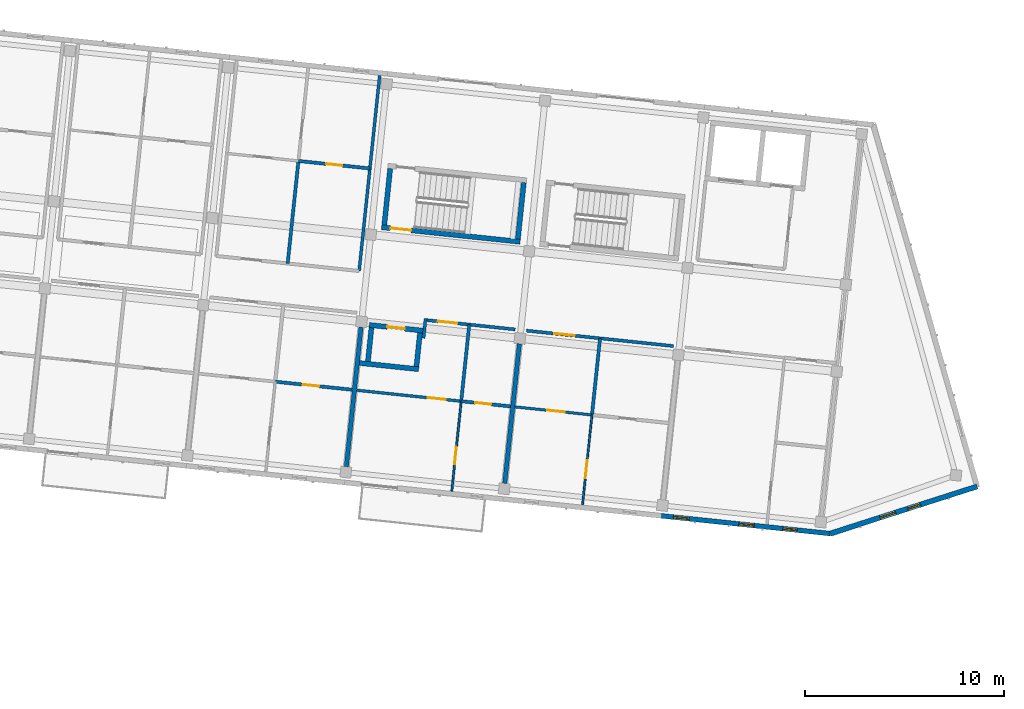
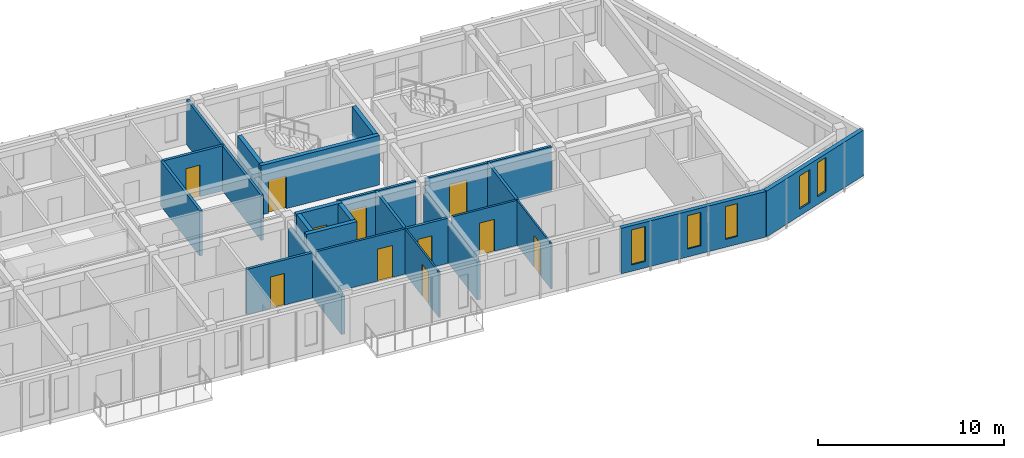
# One storey, part 34 of 74: 25 walls, 11 doors, 5 windows, 16 openings.
"""IFC4 building model written with IfcOpenShell, lengths in metres."""

from ifc_helpers import new_model, si_unit, direction, frame, frame_2d, origin, place, context, subcontext, project, spatial, rectangle, extrude, material, layer, layer_set, type_object, element, fill, save


model = new_model("IFC4")

# Units and contexts
model_context = context("Model", 3, precision=1e-05, world=origin(), true_north=direction((0.0, 1.0)))
body_context = subcontext(model_context, "Body", "Model", "MODEL_VIEW")
ifc_project = project(units=[si_unit("LENGTHUNIT", "METRE"), si_unit("AREAUNIT", "SQUARE_METRE"), si_unit("VOLUMEUNIT", "CUBIC_METRE"), si_unit("PLANEANGLEUNIT", "RADIAN"), si_unit("MASSUNIT", "GRAM", prefix="KILO")], contexts=[model_context])

# Site, building, storey
site_placement = place(None, origin())
site = spatial("IfcSite", under=ifc_project, at=site_placement, CompositionType="ELEMENT")
building_placement = place(site_placement, origin())
building = spatial("IfcBuilding", under=site, at=building_placement, Name="Kestramere Prow Commons", CompositionType="ELEMENT")
storey_placement = place(building_placement, frame((0.0, 0.0, 11.64990234375)))
storey = spatial("IfcBuildingStorey", under=building, at=storey_placement, Name="L03", CompositionType="ELEMENT", Elevation=11.64990234375)

# Wall, openings, windows
ifc_material_1 = material(Name="Weathered Zinc-Titanium Standing-Seam Cladding")
ifc_layer_1 = layer(ifc_material_1, 0.260009765625)
ifc_layer_set_1 = layer_set([ifc_layer_1], Name="Weathered Zinc-Titanium Standing-Seam Cladding")
wall_type_1 = type_object("IfcWallType", Name="EW-PROW-260", PredefinedType="SOLIDWALL", material=ifc_layer_set_1)
wall_1_placement = place(storey_placement, frame((165.587158203125, 91.57177734375, 0.0), z_axis=(0.0, 0.0, 1.0), x_axis=(-0.9522851043, -0.305209895201, 0.0)))
wall_1 = element("IfcWall", 1, at=wall_1_placement, inside=storey, type_object=wall_type_1, Name="Block B L03 PRW-S Facet Wall", PredefinedType="SOLIDWALL", context=body_context, shape_type="SweptSolid", body=[
    extrude(rectangle(XDim=7.752685546875, YDim=0.260009765625, at=frame_2d((3.87646484375, 0.0))), origin(), (0.0, 0.0, 1.0), 3.0),
])
opening_1_placement = place(wall_1_placement, frame((2.989990234375, 0.0, 0.52001953125)))
opening_1 = element("IfcOpeningElement", 2, at=opening_1_placement, cuts=wall_1, Name="Opening WN-06", PredefinedType="OPENING", context=body_context, shape_type="SweptSolid", body=[
    extrude(rectangle(XDim=0.679931640625, YDim=2.239990234375, at=frame_2d((0.33984375, 1.1201171875))), frame((0.0, 0.14501953125, 0.0), z_axis=(0.0, -1.0, 0.0), x_axis=(1.0, 0.0, 0.0)), (0.0, 0.0, 1.0), 0.2900390625),
])
opening_2_placement = place(wall_1_placement, frame((4.302734375, 0.0, 0.449951171875)))
opening_2 = element("IfcOpeningElement", 3, at=opening_2_placement, cuts=wall_1, Name="Opening WN-13", PredefinedType="OPENING", context=body_context, shape_type="SweptSolid", body=[
    extrude(rectangle(XDim=0.820068359375, YDim=2.179931640625, at=frame_2d((0.41015625, 1.08984375))), frame((0.0, 0.14501953125, 0.0), z_axis=(0.0, -1.0, 0.0), x_axis=(1.0, 0.0, 0.0)), (0.0, 0.0, 1.0), 0.2900390625),
])
ifc_material_2 = material(Name="Low-E Laminated Double Glazing", Category="glass")
window_type_1 = type_object("IfcWindowType", Name="WN-NAR-680A", PartitioningType="SINGLE_PANEL", PredefinedType="WINDOW", material=ifc_material_2)
window_1_placement = place(opening_1_placement, origin())
window_1 = element("IfcWindow", 4, at=window_1_placement, inside=storey, type_object=window_type_1, Name="WN-B-L03-PRW-S-0", OverallHeight=2.239990234375, OverallWidth=0.679931640625, PartitioningType="SINGLE_PANEL", PredefinedType="WINDOW", context=body_context, shape_type="SweptSolid", body=[
    extrude(rectangle(XDim=0.679931640625, YDim=2.239990234375, at=frame_2d((0.33984375, 1.1201171875))), frame((0.0, 0.030029296875, 0.0), z_axis=(0.0, -1.0, 0.0), x_axis=(1.0, 0.0, 0.0)), (0.0, 0.0, 1.0), 0.06005859375),
])
fill(opening_1, window_1)
window_type_2 = type_object("IfcWindowType", Name="WN-NAR-820A", PartitioningType="DOUBLE_PANEL_VERTICAL", PredefinedType="WINDOW", material=ifc_material_2)
window_2_placement = place(opening_2_placement, origin())
window_2 = element("IfcWindow", 5, at=window_2_placement, inside=storey, type_object=window_type_2, Name="WN-B-L03-PRW-S-1", OverallHeight=2.179931640625, OverallWidth=0.820068359375, PartitioningType="SINGLE_PANEL", PredefinedType="WINDOW", context=body_context, shape_type="SweptSolid", body=[
    extrude(rectangle(XDim=0.820068359375, YDim=2.179931640625, at=frame_2d((0.41015625, 1.08984375))), frame((0.0, 0.030029296875, 0.0), z_axis=(0.0, -1.0, 0.0), x_axis=(1.0, 0.0, 0.0)), (0.0, 0.0, 1.0), 0.06005859375),
])
fill(opening_2, window_2)

ifc_material_3 = material(Name="Fluoropolymer Standing-Seam Zinc-Aluminium Cladding", Category="aluminium")
ifc_layer_2 = layer(ifc_material_3, 0.239990234375)
ifc_layer_set_2 = layer_set([ifc_layer_2], Name="Fluoropolymer Standing-Seam Zinc-Aluminium Cladding")
wall_type_2 = type_object("IfcWallType", Name="EW-SEAM-240", PredefinedType="SOLIDWALL", material=ifc_layer_set_2)
wall_2_placement = place(storey_placement, frame((158.204345703125, 89.20556640625, 0.0), z_axis=(0.0, 0.0, 1.0), x_axis=(-0.994521760736, 0.104529744196, 0.0)))
wall_2 = element("IfcWall", 6, at=wall_2_placement, inside=storey, type_object=wall_type_2, Name="Block B L03 South Standing-Seam Wall 6", PredefinedType="SOLIDWALL", context=body_context, shape_type="SweptSolid", body=[
    extrude(rectangle(XDim=8.52490234375, YDim=0.239990234375, at=frame_2d((4.262451171875, 0.0))), origin(), (0.0, 0.0, 1.0), 3.0),
])
opening_3_placement = place(wall_2_placement, frame((1.67333984375, 0.0, 0.52001953125)))
opening_3 = element("IfcOpeningElement", 7, at=opening_3_placement, cuts=wall_2, Name="Opening WN-08", PredefinedType="OPENING", context=body_context, shape_type="SweptSolid", body=[
    extrude(rectangle(XDim=0.719970703125, YDim=2.159912109375, at=frame_2d((0.35986328125, 1.080078125))), frame((0.0, 0.135009765625, 0.0), z_axis=(0.0, -1.0, 0.0), x_axis=(1.0, 0.0, 0.0)), (0.0, 0.0, 1.0), 0.27001953125),
])
opening_4_placement = place(wall_2_placement, frame((3.8349609375, 0.0, 0.52001953125)))
opening_4 = element("IfcOpeningElement", 8, at=opening_4_placement, cuts=wall_2, Name="Opening WN-11", PredefinedType="OPENING", context=body_context, shape_type="SweptSolid", body=[
    extrude(rectangle(XDim=0.780029296875, YDim=2.199951171875, at=frame_2d((0.39013671875, 1.10009765625))), frame((0.0, 0.135009765625, 0.0), z_axis=(0.0, -1.0, 0.0), x_axis=(1.0, 0.0, 0.0)), (0.0, 0.0, 1.0), 0.27001953125),
])
opening_5_placement = place(wall_2_placement, frame((7.114990234375, 0.0, 0.419921875)))
opening_5 = element("IfcOpeningElement", 9, at=opening_5_placement, cuts=wall_2, Name="Opening WN-12", PredefinedType="OPENING", context=body_context, shape_type="SweptSolid", body=[
    extrude(rectangle(XDim=0.800048828125, YDim=2.300048828125, at=frame_2d((0.39990234375, 1.14990234375))), frame((0.0, 0.135009765625, 0.0), z_axis=(0.0, -1.0, 0.0), x_axis=(1.0, 0.0, 0.0)), (0.0, 0.0, 1.0), 0.27001953125),
])
window_type_3 = type_object("IfcWindowType", Name="WN-NAR-720A", PartitioningType="SINGLE_PANEL", PredefinedType="WINDOW", material=ifc_material_2)
window_3_placement = place(opening_3_placement, origin())
window_3 = element("IfcWindow", 10, at=window_3_placement, inside=storey, type_object=window_type_3, Name="WN-B-L03-S-5-00", OverallHeight=2.159912109375, OverallWidth=0.719970703125, PartitioningType="SINGLE_PANEL", PredefinedType="WINDOW", context=body_context, shape_type="SweptSolid", body=[
    extrude(rectangle(XDim=0.719970703125, YDim=2.159912109375, at=frame_2d((0.35986328125, 1.080078125))), frame((0.0, 0.030029296875, 0.0), z_axis=(0.0, -1.0, 0.0), x_axis=(1.0, 0.0, 0.0)), (0.0, 0.0, 1.0), 0.06005859375),
])
fill(opening_3, window_3)
window_type_4 = type_object("IfcWindowType", Name="WN-NAR-780A", PartitioningType="SINGLE_PANEL", PredefinedType="WINDOW", material=ifc_material_2)
window_4_placement = place(opening_4_placement, origin())
window_4 = element("IfcWindow", 11, at=window_4_placement, inside=storey, type_object=window_type_4, Name="WN-B-L03-S-5-10", OverallHeight=2.199951171875, OverallWidth=0.780029296875, PartitioningType="SINGLE_PANEL", PredefinedType="WINDOW", context=body_context, shape_type="SweptSolid", body=[
    extrude(rectangle(XDim=0.780029296875, YDim=2.199951171875, at=frame_2d((0.39013671875, 1.10009765625))), frame((0.0, 0.030029296875, 0.0), z_axis=(0.0, -1.0, 0.0), x_axis=(1.0, 0.0, 0.0)), (0.0, 0.0, 1.0), 0.06005859375),
])
fill(opening_4, window_4)
window_type_5 = type_object("IfcWindowType", Name="WN-NAR-800A", PartitioningType="SINGLE_PANEL", PredefinedType="WINDOW", material=ifc_material_2)
window_5_placement = place(opening_5_placement, origin())
window_5 = element("IfcWindow", 12, at=window_5_placement, inside=storey, type_object=window_type_5, Name="WN-B-L03-S-5-11", OverallHeight=2.300048828125, OverallWidth=0.800048828125, PartitioningType="SINGLE_PANEL", PredefinedType="WINDOW", context=body_context, shape_type="SweptSolid", body=[
    extrude(rectangle(XDim=0.800048828125, YDim=2.300048828125, at=frame_2d((0.39990234375, 1.14990234375))), frame((0.0, 0.030029296875, 0.0), z_axis=(0.0, -1.0, 0.0), x_axis=(1.0, 0.0, 0.0)), (0.0, 0.0, 1.0), 0.06005859375),
])
fill(opening_5, window_5)

# Wall, opening, door
ifc_material_4 = material(Name="Concrete C40/50", Category="concrete")
ifc_layer_3 = layer(ifc_material_4, 0.25)
ifc_layer_set_3 = layer_set([ifc_layer_3], Name="Concrete C40/50")
wall_type_3 = type_object("IfcWallType", Name="W-CORE-250", PredefinedType="SHEAR", material=ifc_layer_set_3)
wall_3_placement = place(storey_placement, frame((135.66455078125, 104.595947265625, 0.0), z_axis=(0.0, 0.0, 1.0), x_axis=(0.994522066748, -0.104526832686, 0.0)))
wall_3 = element("IfcWall", 13, at=wall_3_placement, inside=storey, type_object=wall_type_3, Name="ST-B1 L03 Corridor Shaft Wall", PredefinedType="SHEAR", context=body_context, shape_type="SweptSolid", body=[
    extrude(rectangle(XDim=7.0, YDim=0.25, at=frame_2d((3.5, 0.0))), origin(), (0.0, 0.0, 1.0), 3.25),
])
opening_6_placement = place(wall_3_placement, frame((0.449951171875, 0.0, 0.0)))
opening_6 = element("IfcOpeningElement", 14, at=opening_6_placement, cuts=wall_3, Name="Opening ID-01", PredefinedType="OPENING", context=body_context, shape_type="SweptSolid", body=[
    extrude(rectangle(XDim=1.050048828125, YDim=2.14990234375, at=frame_2d((0.52490234375, 1.074951171875))), frame((0.0, 0.139892578125, 0.0), z_axis=(0.0, -1.0, 0.0), x_axis=(1.0, 0.0, 0.0)), (0.0, 0.0, 1.0), 0.280029296875),
])
ifc_material_5 = material(Name="Fire-Rated Timber and Steel Frame", Category="steel")
door_type_1 = type_object("IfcDoorType", Name="FD-ST-01", OperationType="NOTDEFINED", PredefinedType="DOOR", material=ifc_material_5)
door_1_placement = place(opening_6_placement, origin())
door_1 = element("IfcDoor", 15, at=door_1_placement, inside=storey, type_object=door_type_1, Name="ST-B1 L03 Protected Stair Door", OperationType="SINGLE_SWING_RIGHT", OverallHeight=2.14990234375, OverallWidth=1.050048828125, PredefinedType="DOOR", context=body_context, shape_type="SweptSolid", body=[
    extrude(rectangle(XDim=1.050048828125, YDim=2.14990234375, at=frame_2d((0.52490234375, 1.074951171875))), frame((0.0, 0.02490234375, 0.0), z_axis=(0.0, -1.0, 0.0), x_axis=(1.0, 0.0, 0.0)), (0.0, 0.0, 1.0), 0.050048828125),
])
fill(opening_6, door_1)

# Walls
for number, where, z_axis, x_axis, name in (
    (16, (135.802001953125, 104.707275390625, 0.0), (0.0, 0.0, 1.0), (0.104515324063, 0.994523276267, 0.0), "ST-B1 L03 Near Shaft Wall"),
    (17, (142.514892578125, 104.001708984375, 0.0), (0.0, 0.0, 1.0), (0.104515324063, 0.994523276267, 0.0), "ST-B1 L03 Far Shaft Wall"),
):
    element("IfcWall", number, at=place(storey_placement, frame(where, z_axis=z_axis, x_axis=x_axis)), inside=storey, type_object=wall_type_3, Name=name, PredefinedType="SHEAR", context=body_context, shape_type="SweptSolid", body=[
        extrude(rectangle(XDim=2.849853515625, YDim=0.25, at=frame_2d((1.4248046875, 0.0))), origin(), (0.0, 0.0, 1.0), 3.25),
    ])
ifc_material_6 = material(Name="Fire-Rated Calcium Silicate Wall")
ifc_layer_4 = layer(ifc_material_6, 0.155029296875)
ifc_layer_set_4 = layer_set([ifc_layer_4], Name="Fire-Rated Calcium Silicate Wall")
wall_type_4 = type_object("IfcWallType", Name="W-FIRE-150", PredefinedType="PARTITIONING", material=ifc_layer_set_4)
wall_4_placement = place(storey_placement, frame((137.773193359375, 99.02001953125, 0.0), z_axis=(0.0, 0.0, 1.0), x_axis=(0.104531505358, 0.994521575627, 0.0)))
element("IfcWall", 18, at=wall_4_placement, inside=storey, type_object=wall_type_4, Name="Interior Partition PW-B-L03-HS-CLOSER", PredefinedType="PARTITIONING", context=body_context, shape_type="SweptSolid", body=[
    extrude(rectangle(XDim=0.994873046875, YDim=0.155029296875, at=frame_2d((0.49755859375, 0.0))), origin(), (0.0, 0.0, 1.0), 2.97021484375),
])

# Wall, opening, door
wall_5_placement = place(storey_placement, frame((137.948974609375, 99.926513671875, 0.0), z_axis=(0.0, 0.0, 1.0), x_axis=(0.994524354209, -0.104505066315, 0.0)))
wall_5 = element("IfcWall", 19, at=wall_5_placement, inside=storey, type_object=wall_type_4, Name="Interior Partition PW-B-L03-CS-3", PredefinedType="PARTITIONING", context=body_context, shape_type="SweptSolid", body=[
    extrude(rectangle(XDim=4.455078125, YDim=0.155029296875, at=frame_2d((2.2275390625, 0.0))), origin(), (0.0, 0.0, 1.0), 2.97021484375),
])
opening_7_placement = place(wall_5_placement, frame((0.556884765625, 0.0, 0.0)))
opening_7 = element("IfcOpeningElement", 20, at=opening_7_placement, cuts=wall_5, Name="Opening ID-04", PredefinedType="OPENING", context=body_context, shape_type="SweptSolid", body=[
    extrude(rectangle(XDim=0.97998046875, YDim=2.14990234375, at=frame_2d((0.489990234375, 1.074951171875))), frame((0.0, 0.092529296875, 0.0), z_axis=(0.0, -1.0, 0.0), x_axis=(1.0, 0.0, 0.0)), (0.0, 0.0, 1.0), 0.18505859375),
])
ifc_material_7 = material(Name="Hardwood Fire-Rated Flat Entrance Door", Category="wood")
door_type_2 = type_object("IfcDoorType", Name="FD-ENT-01", OperationType="NOTDEFINED", PredefinedType="DOOR", material=ifc_material_7)
door_2_placement = place(opening_7_placement, origin())
door_2 = element("IfcDoor", 21, at=door_2_placement, inside=storey, type_object=door_type_2, Name="Interior Door DR-B-L03-ENT-S3", OperationType="SINGLE_SWING_LEFT", OverallHeight=2.14990234375, OverallWidth=0.97998046875, PredefinedType="DOOR", context=body_context, shape_type="SweptSolid", body=[
    extrude(rectangle(XDim=0.97998046875, YDim=2.14990234375, at=frame_2d((0.489990234375, 1.074951171875))), frame((0.0, 0.02490234375, 0.0), z_axis=(0.0, -1.0, 0.0), x_axis=(1.0, 0.0, 0.0)), (0.0, 0.0, 1.0), 0.050048828125),
])
fill(opening_7, door_2)

wall_6_placement = place(storey_placement, frame((142.946533203125, 99.4013671875, 0.0), z_axis=(0.0, 0.0, 1.0), x_axis=(0.994522184982, -0.104525707739, 0.0)))
wall_6 = element("IfcWall", 22, at=wall_6_placement, inside=storey, type_object=wall_type_4, Name="Interior Partition PW-B-L03-CS-4", PredefinedType="PARTITIONING", context=body_context, shape_type="SweptSolid", body=[
    extrude(rectangle(XDim=7.429931640625, YDim=0.155029296875, at=frame_2d((3.71484375, 0.0))), origin(), (0.0, 0.0, 1.0), 2.97021484375),
])
opening_8_placement = place(wall_6_placement, frame((1.405029296875, 0.0, 0.0)))
opening_8 = element("IfcOpeningElement", 23, at=opening_8_placement, cuts=wall_6, Name="Opening ID-05", PredefinedType="OPENING", context=body_context, shape_type="SweptSolid", body=[
    extrude(rectangle(XDim=1.02001953125, YDim=2.199951171875, at=frame_2d((0.510009765625, 1.10009765625))), frame((0.0, 0.092529296875, 0.0), z_axis=(0.0, -1.0, 0.0), x_axis=(1.0, 0.0, 0.0)), (0.0, 0.0, 1.0), 0.18505859375),
])
door_type_3 = type_object("IfcDoorType", Name="FD-ENT-02", OperationType="NOTDEFINED", PredefinedType="DOOR", material=ifc_material_7)
door_3_placement = place(opening_8_placement, origin())
door_3 = element("IfcDoor", 24, at=door_3_placement, inside=storey, type_object=door_type_3, Name="Interior Door DR-B-L03-ENT-S4", OperationType="SINGLE_SWING_RIGHT", OverallHeight=2.199951171875, OverallWidth=1.02001953125, PredefinedType="DOOR", context=body_context, shape_type="SweptSolid", body=[
    extrude(rectangle(XDim=1.02001953125, YDim=2.199951171875, at=frame_2d((0.510009765625, 1.10009765625))), frame((0.0, 0.02490234375, 0.0), z_axis=(0.0, -1.0, 0.0), x_axis=(1.0, 0.0, 0.0)), (0.0, 0.0, 1.0), 0.050048828125),
])
fill(opening_8, door_3)

# Wall
ifc_layer_5 = layer(ifc_material_4, 0.25)
ifc_layer_set_5 = layer_set([ifc_layer_5], Name="Concrete C40/50")
wall_type_5 = type_object("IfcWallType", Name="W-HS-250", PredefinedType="SHEAR", material=ifc_layer_set_5)
wall_7_placement = place(storey_placement, frame((134.555419921875, 97.774658203125, 0.0), z_axis=(0.0, 0.0, 1.0), x_axis=(0.994514844427, -0.104595526741, 0.0)))
element("IfcWall", 25, at=wall_7_placement, inside=storey, type_object=wall_type_5, Name="Block B L03 Household Shelter South Wall", PredefinedType="SHEAR", context=body_context, shape_type="SweptSolid", body=[
    extrude(rectangle(XDim=2.989990234375, YDim=0.25, at=frame_2d((1.4951171875, 0.0))), origin(), (0.0, 0.0, 1.0), 3.25),
])

# Wall, opening, door
wall_8_placement = place(storey_placement, frame((135.047607421875, 99.68359375, 0.0), z_axis=(0.0, 0.0, 1.0), x_axis=(0.994522285292, -0.104524753323, 0.0)))
wall_8 = element("IfcWall", 26, at=wall_8_placement, inside=storey, type_object=wall_type_5, Name="Block B L03 Household Shelter North Wall", PredefinedType="SHEAR", context=body_context, shape_type="SweptSolid", body=[
    extrude(rectangle(XDim=2.7001953125, YDim=0.25, at=frame_2d((1.35009765625, 0.0))), origin(), (0.0, 0.0, 1.0), 3.25),
])
opening_9_placement = place(wall_8_placement, frame((0.89990234375, 0.0, 0.0)))
opening_9 = element("IfcOpeningElement", 27, at=opening_9_placement, cuts=wall_8, Name="Opening ID-06", PredefinedType="OPENING", context=body_context, shape_type="SweptSolid", body=[
    extrude(rectangle(XDim=0.89990234375, YDim=2.050048828125, at=frame_2d((0.449951171875, 1.02490234375))), frame((0.0, 0.139892578125, 0.0), z_axis=(0.0, -1.0, 0.0), x_axis=(1.0, 0.0, 0.0)), (0.0, 0.0, 1.0), 0.280029296875),
])
ifc_material_8 = material(Name="Galvanised Steel S275JR Household Shelter Door", Category="steel")
door_type_4 = type_object("IfcDoorType", Name="FD-HS-01", OperationType="NOTDEFINED", PredefinedType="DOOR", material=ifc_material_8)
door_4_placement = place(opening_9_placement, origin())
door_4 = element("IfcDoor", 28, at=door_4_placement, inside=storey, type_object=door_type_4, Name="Block B L03 Household Shelter Blast Door", OperationType="SINGLE_SWING_LEFT", OverallHeight=2.050048828125, OverallWidth=0.89990234375, PredefinedType="DOOR", context=body_context, shape_type="SweptSolid", body=[
    extrude(rectangle(XDim=0.89990234375, YDim=2.050048828125, at=frame_2d((0.449951171875, 1.02490234375))), frame((0.0, 0.02490234375, 0.0), z_axis=(0.0, -1.0, 0.0), x_axis=(1.0, 0.0, 0.0)), (0.0, 0.0, 1.0), 0.050048828125),
])
fill(opening_9, door_4)

# Walls
for number, where, z_axis, x_axis, name in (
    (29, (134.981201171875, 97.85546875, 0.0), (0.0, 0.0, 1.0), (0.104550220202, 0.994519608382, 0.0), "Block B L03 Household Shelter W Wall"),
    (30, (137.417724609375, 97.599365234375, 0.0), (0.0, 0.0, 1.0), (0.104550220202, 0.994519608382, 0.0), "Block B L03 Household Shelter E Wall"),
):
    element("IfcWall", number, at=place(storey_placement, frame(where, z_axis=z_axis, x_axis=x_axis)), inside=storey, type_object=wall_type_5, Name=name, PredefinedType="SHEAR", context=body_context, shape_type="SweptSolid", body=[
        extrude(rectangle(XDim=1.699951171875, YDim=0.25, at=frame_2d((0.85009765625, 0.0))), origin(), (0.0, 0.0, 1.0), 3.25),
    ])

# Wall, opening, door
ifc_material_9 = material(Name="Gypsum Acoustic Drywall")
ifc_layer_6 = layer(ifc_material_9, 0.10009765625)
ifc_layer_set_6 = layer_set([ifc_layer_6], Name="Gypsum Acoustic Drywall")
wall_type_6 = type_object("IfcWallType", Name="W-PART-100", PredefinedType="PARTITIONING", material=ifc_layer_set_6)
wall_9_placement = place(storey_placement, frame((139.193115234375, 91.339599609375, 0.0), z_axis=(0.0, 0.0, 1.0), x_axis=(0.104539221709, 0.994520764552, 0.0)))
wall_9 = element("IfcWall", 31, at=wall_9_placement, inside=storey, type_object=wall_type_6, Name="Interior Partition PW-B-L03-LB-S3", PredefinedType="PARTITIONING", context=body_context, shape_type="SweptSolid", body=[
    extrude(rectangle(XDim=4.5400390625, YDim=0.10009765625, at=frame_2d((2.27001953125, 0.0))), origin(), (0.0, 0.0, 1.0), 2.97021484375),
])
opening_10_placement = place(wall_9_placement, frame((1.35009765625, 0.0, 0.0)))
opening_10 = element("IfcOpeningElement", 32, at=opening_10_placement, cuts=wall_9, Name="Opening ID-10", PredefinedType="OPENING", context=body_context, shape_type="SweptSolid", body=[
    extrude(rectangle(XDim=0.8798828125, YDim=2.10009765625, at=frame_2d((0.43994140625, 1.050048828125))), frame((0.0, 0.06494140625, 0.0), z_axis=(0.0, -1.0, 0.0), x_axis=(1.0, 0.0, 0.0)), (0.0, 0.0, 1.0), 0.130126953125),
])
ifc_material_10 = material(Name="Engineered Timber Bedroom Door", Category="wood")
door_type_5 = type_object("IfcDoorType", Name="D-RM-03", OperationType="NOTDEFINED", PredefinedType="DOOR", material=ifc_material_10)
door_5_placement = place(opening_10_placement, origin())
door_5 = element("IfcDoor", 33, at=door_5_placement, inside=storey, type_object=door_type_5, Name="Interior Door DR-B-L03-BED-S3", OperationType="SINGLE_SWING_RIGHT", OverallHeight=2.10009765625, OverallWidth=0.8798828125, PredefinedType="DOOR", context=body_context, shape_type="SweptSolid", body=[
    extrude(rectangle(XDim=0.8798828125, YDim=2.10009765625, at=frame_2d((0.43994140625, 1.050048828125))), frame((0.0, 0.02490234375, 0.0), z_axis=(0.0, -1.0, 0.0), x_axis=(1.0, 0.0, 0.0)), (0.0, 0.0, 1.0), 0.050048828125),
])
fill(opening_10, door_5)

ifc_material_11 = material(Name="Lightweight Blockwork and Plaster", Category="masonry")
ifc_layer_7 = layer(ifc_material_11, 0.1298828125)
ifc_layer_set_7 = layer_set([ifc_layer_7], Name="Lightweight Blockwork and Plaster")
wall_type_7 = type_object("IfcWallType", Name="W-PART-130", PredefinedType="PARTITIONING", material=ifc_layer_set_7)
wall_10_placement = place(storey_placement, frame((142.372802734375, 95.5703125, 0.0), z_axis=(0.0, 0.0, 1.0), x_axis=(0.994524375082, -0.104504867671, 0.0)))
wall_10 = element("IfcWall", 34, at=wall_10_placement, inside=storey, type_object=wall_type_7, Name="Interior Partition PW-B-L03-MIDS1-4", PredefinedType="PARTITIONING", context=body_context, shape_type="SweptSolid", body=[
    extrude(rectangle(XDim=3.885009765625, YDim=0.1298828125, at=frame_2d((1.9423828125, 0.0))), origin(), (0.0, 0.0, 1.0), 2.97021484375),
])
opening_11_placement = place(wall_10_placement, frame((1.625, 0.0, 0.0)))
opening_11 = element("IfcOpeningElement", 35, at=opening_11_placement, cuts=wall_10, Name="Opening ID-10", PredefinedType="OPENING", context=body_context, shape_type="SweptSolid", body=[
    extrude(rectangle(XDim=0.8798828125, YDim=2.10009765625, at=frame_2d((0.43994140625, 1.050048828125))), frame((0.0, 0.079833984375, 0.0), z_axis=(0.0, -1.0, 0.0), x_axis=(1.0, 0.0, 0.0)), (0.0, 0.0, 1.0), 0.159912109375),
])
door_6_placement = place(opening_11_placement, origin())
door_6 = element("IfcDoor", 36, at=door_6_placement, inside=storey, type_object=door_type_5, Name="Interior Door DR-B-L03-KL-S4", OperationType="SINGLE_SWING_RIGHT", OverallHeight=2.10009765625, OverallWidth=0.8798828125, PredefinedType="DOOR", context=body_context, shape_type="SweptSolid", body=[
    extrude(rectangle(XDim=0.8798828125, YDim=2.10009765625, at=frame_2d((0.43994140625, 1.050048828125))), frame((0.0, 0.02490234375, 0.0), z_axis=(0.0, -1.0, 0.0), x_axis=(1.0, 0.0, 0.0)), (0.0, 0.0, 1.0), 0.050048828125),
])
fill(opening_11, door_6)

ifc_material_12 = material(Name="Masonry Compartment Wall", Category="masonry")
ifc_layer_8 = layer(ifc_material_12, 0.139892578125)
ifc_layer_set_8 = layer_set([ifc_layer_8], Name="Masonry Compartment Wall")
wall_type_8 = type_object("IfcWallType", Name="W-PART-140", PredefinedType="PARTITIONING", material=ifc_layer_set_8)
wall_11_placement = place(storey_placement, frame((134.416748046875, 96.406494140625, 0.0), z_axis=(0.0, 0.0, 1.0), x_axis=(0.994524692105, -0.104501850668, 0.0)))
wall_11 = element("IfcWall", 37, at=wall_11_placement, inside=storey, type_object=wall_type_8, Name="Interior Partition PW-B-L03-MIDS1-3", PredefinedType="PARTITIONING", context=body_context, shape_type="SweptSolid", body=[
    extrude(rectangle(XDim=5.27978515625, YDim=0.139892578125, at=frame_2d((2.639892578125, 0.0))), origin(), (0.0, 0.0, 1.0), 2.97021484375),
])
opening_12_placement = place(wall_11_placement, frame((3.594970703125, 0.0, 0.0)))
opening_12 = element("IfcOpeningElement", 38, at=opening_12_placement, cuts=wall_11, Name="Opening ID-08", PredefinedType="OPENING", context=body_context, shape_type="SweptSolid", body=[
    extrude(rectangle(XDim=0.89990234375, YDim=2.10009765625, at=frame_2d((0.449951171875, 1.050048828125))), frame((0.0, 0.0849609375, 0.0), z_axis=(0.0, -1.0, 0.0), x_axis=(1.0, 0.0, 0.0)), (0.0, 0.0, 1.0), 0.169921875),
])
ifc_material_13 = material(Name="Engineered Timber Flush Door", Category="wood")
door_type_6 = type_object("IfcDoorType", Name="D-RM-01", OperationType="NOTDEFINED", PredefinedType="DOOR", material=ifc_material_13)
door_7_placement = place(opening_12_placement, origin())
door_7 = element("IfcDoor", 39, at=door_7_placement, inside=storey, type_object=door_type_6, Name="Interior Door DR-B-L03-KL-S3", OperationType="SINGLE_SWING_RIGHT", OverallHeight=2.10009765625, OverallWidth=0.89990234375, PredefinedType="DOOR", context=body_context, shape_type="SweptSolid", body=[
    extrude(rectangle(XDim=0.89990234375, YDim=2.10009765625, at=frame_2d((0.449951171875, 1.050048828125))), frame((0.0, 0.02490234375, 0.0), z_axis=(0.0, -1.0, 0.0), x_axis=(1.0, 0.0, 0.0)), (0.0, 0.0, 1.0), 0.050048828125),
])
fill(opening_12, door_7)

# Wall
ifc_layer_9 = layer(ifc_material_12, 0.14990234375)
ifc_layer_set_9 = layer_set([ifc_layer_9], Name="Masonry Compartment Wall")
wall_type_9 = type_object("IfcWallType", Name="W-PART-150", PredefinedType="PARTITIONING", material=ifc_layer_set_9)
wall_12_placement = place(storey_placement, frame((134.53857421875, 102.396728515625, 0.0), z_axis=(0.0, 0.0, 1.0), x_axis=(0.104508379977, 0.994524006002, 0.0)))
element("IfcWall", 40, at=wall_12_placement, inside=storey, type_object=wall_type_9, Name="Interior Partition PW-B-L03-NWR-2", PredefinedType="PARTITIONING", context=body_context, shape_type="SweptSolid", body=[
    extrude(rectangle(XDim=9.869873046875, YDim=0.14990234375, at=frame_2d((4.93505859375, 0.0))), origin(), (0.0, 0.0, 1.0), 2.97021484375),
])

# Wall, opening, door
ifc_layer_10 = layer(ifc_material_9, 0.094970703125)
ifc_layer_set_10 = layer_set([ifc_layer_10], Name="Gypsum Acoustic Drywall")
wall_type_10 = type_object("IfcWallType", Name="W-PART-95", PredefinedType="PARTITIONING", material=ifc_layer_set_10)
wall_13_placement = place(storey_placement, frame((145.761962890625, 90.649169921875, 0.0), z_axis=(0.0, 0.0, 1.0), x_axis=(0.104539221709, 0.994520764552, 0.0)))
wall_13 = element("IfcWall", 41, at=wall_13_placement, inside=storey, type_object=wall_type_10, Name="Interior Partition PW-B-L03-LB-S4", PredefinedType="PARTITIONING", context=body_context, shape_type="SweptSolid", body=[
    extrude(rectangle(XDim=4.5400390625, YDim=0.094970703125, at=frame_2d((2.27001953125, 0.0))), origin(), (0.0, 0.0, 1.0), 2.97021484375),
])
opening_13_placement = place(wall_13_placement, frame((1.35009765625, 0.0, 0.0)))
opening_13 = element("IfcOpeningElement", 42, at=opening_13_placement, cuts=wall_13, Name="Opening ID-08", PredefinedType="OPENING", context=body_context, shape_type="SweptSolid", body=[
    extrude(rectangle(XDim=0.89990234375, YDim=2.10009765625, at=frame_2d((0.449951171875, 1.050048828125))), frame((0.0, 0.0625, 0.0), z_axis=(0.0, -1.0, 0.0), x_axis=(1.0, 0.0, 0.0)), (0.0, 0.0, 1.0), 0.125),
])
door_8_placement = place(opening_13_placement, origin())
door_8 = element("IfcDoor", 43, at=door_8_placement, inside=storey, type_object=door_type_6, Name="Interior Door DR-B-L03-BED-S4", OperationType="SINGLE_SWING_LEFT", OverallHeight=2.10009765625, OverallWidth=0.89990234375, PredefinedType="DOOR", context=body_context, shape_type="SweptSolid", body=[
    extrude(rectangle(XDim=0.89990234375, YDim=2.10009765625, at=frame_2d((0.449951171875, 1.050048828125))), frame((0.0, 0.02490234375, 0.0), z_axis=(0.0, -1.0, 0.0), x_axis=(1.0, 0.0, 0.0)), (0.0, 0.0, 1.0), 0.050048828125),
])
fill(opening_13, door_8)

ifc_material_14 = material(Name="Waterproof Sanitary Masonry Wall", Category="masonry")
ifc_layer_11 = layer(ifc_material_14, 0.1650390625)
ifc_layer_set_11 = layer_set([ifc_layer_11], Name="Waterproof Sanitary Masonry Wall")
wall_type_11 = type_object("IfcWallType", Name="W-PLUMB-150", PredefinedType="PLUMBINGWALL", material=ifc_layer_set_11)
wall_14_placement = place(storey_placement, frame((130.32421875, 96.836669921875, 0.0), z_axis=(0.0, 0.0, 1.0), x_axis=(0.994524375082, -0.104504867671, 0.0)))
wall_14 = element("IfcWall", 44, at=wall_14_placement, inside=storey, type_object=wall_type_11, Name="Interior Partition PW-B-L03-MIDS2-2", PredefinedType="PLUMBINGWALL", context=body_context, shape_type="SweptSolid", body=[
    extrude(rectangle(XDim=3.885009765625, YDim=0.1650390625, at=frame_2d((1.9423828125, 0.0))), origin(), (0.0, 0.0, 1.0), 2.97021484375),
])
opening_14_placement = place(wall_14_placement, frame((1.39990234375, 0.0, 0.0)))
opening_14 = element("IfcOpeningElement", 45, at=opening_14_placement, cuts=wall_14, Name="Opening ID-11", PredefinedType="OPENING", context=body_context, shape_type="SweptSolid", body=[
    extrude(rectangle(XDim=0.820068359375, YDim=2.080078125, at=frame_2d((0.41015625, 1.0400390625))), frame((0.0, 0.097412109375, 0.0), z_axis=(0.0, -1.0, 0.0), x_axis=(1.0, 0.0, 0.0)), (0.0, 0.0, 1.0), 0.195068359375),
])
ifc_material_15 = material(Name="Moisture-Resistant Timber Bathroom Door", Category="wood")
door_type_7 = type_object("IfcDoorType", Name="D-BT-01", OperationType="NOTDEFINED", PredefinedType="DOOR", material=ifc_material_15)
door_9_placement = place(opening_14_placement, origin())
door_9 = element("IfcDoor", 46, at=door_9_placement, inside=storey, type_object=door_type_7, Name="Interior Door DR-B-L03-BTH-S2", OperationType="SINGLE_SWING_LEFT", OverallHeight=2.080078125, OverallWidth=0.820068359375, PredefinedType="DOOR", context=body_context, shape_type="SweptSolid", body=[
    extrude(rectangle(XDim=0.820068359375, YDim=2.080078125, at=frame_2d((0.41015625, 1.0400390625))), frame((0.0, 0.02490234375, 0.0), z_axis=(0.0, -1.0, 0.0), x_axis=(1.0, 0.0, 0.0)), (0.0, 0.0, 1.0), 0.050048828125),
])
fill(opening_14, door_9)

wall_15_placement = place(storey_placement, frame((139.667724609375, 95.854736328125, 0.0), z_axis=(0.0, 0.0, 1.0), x_axis=(0.994522631864, -0.10452145574, 0.0)))
wall_15 = element("IfcWall", 47, at=wall_15_placement, inside=storey, type_object=wall_type_11, Name="Interior Partition PW-B-L03-MIDS2-3", PredefinedType="PLUMBINGWALL", context=body_context, shape_type="SweptSolid", body=[
    extrude(rectangle(XDim=2.489990234375, YDim=0.1650390625, at=frame_2d((1.2451171875, 0.0))), origin(), (0.0, 0.0, 1.0), 2.97021484375),
])
opening_15_placement = place(wall_15_placement, frame((0.702880859375, 0.0, 0.0)))
opening_15 = element("IfcOpeningElement", 48, at=opening_15_placement, cuts=wall_15, Name="Opening ID-11", PredefinedType="OPENING", context=body_context, shape_type="SweptSolid", body=[
    extrude(rectangle(XDim=0.820068359375, YDim=2.080078125, at=frame_2d((0.41015625, 1.0400390625))), frame((0.0, 0.097412109375, 0.0), z_axis=(0.0, -1.0, 0.0), x_axis=(1.0, 0.0, 0.0)), (0.0, 0.0, 1.0), 0.195068359375),
])
door_10_placement = place(opening_15_placement, origin())
door_10 = element("IfcDoor", 49, at=door_10_placement, inside=storey, type_object=door_type_7, Name="Interior Door DR-B-L03-BTH-S3", OperationType="SINGLE_SWING_LEFT", OverallHeight=2.080078125, OverallWidth=0.820068359375, PredefinedType="DOOR", context=body_context, shape_type="SweptSolid", body=[
    extrude(rectangle(XDim=0.820068359375, YDim=2.080078125, at=frame_2d((0.41015625, 1.0400390625))), frame((0.0, 0.02490234375, 0.0), z_axis=(0.0, -1.0, 0.0), x_axis=(1.0, 0.0, 0.0)), (0.0, 0.0, 1.0), 0.050048828125),
])
fill(opening_15, door_10)

# Walls
for number, where, z_axis, x_axis, name in (
    (50, (139.667724609375, 95.854736328125, 0.0), (0.0, 0.0, 1.0), (0.10453700162, 0.994520997914, 0.0), "Interior Partition PW-B-L03-KB-S3"),
    (51, (146.236572265625, 95.164306640625, 0.0), (0.0, 0.0, 1.0), (0.10453700162, 0.994520997914, 0.0), "Interior Partition PW-B-L03-KB-S4"),
):
    element("IfcWall", number, at=place(storey_placement, frame(where, z_axis=z_axis, x_axis=x_axis)), inside=storey, type_object=wall_type_11, Name=name, PredefinedType="PLUMBINGWALL", context=body_context, shape_type="SweptSolid", body=[
        extrude(rectangle(XDim=3.869873046875, YDim=0.1650390625, at=frame_2d((1.93505859375, 0.0))), origin(), (0.0, 0.0, 1.0), 2.97021484375),
    ])

# Wall, opening, door
wall_16_placement = place(storey_placement, frame((131.48974609375, 107.925537109375, 0.0), z_axis=(0.0, 0.0, 1.0), x_axis=(0.994525816262, -0.104491151726, 0.0)))
wall_16 = element("IfcWall", 52, at=wall_16_placement, inside=storey, type_object=wall_type_11, Name="Interior Partition PW-B-L03-MIDN2-2", PredefinedType="PLUMBINGWALL", context=body_context, shape_type="SweptSolid", body=[
    extrude(rectangle(XDim=3.60986328125, YDim=0.1650390625, at=frame_2d((1.804931640625, 0.0))), origin(), (0.0, 0.0, 1.0), 2.97021484375),
])
opening_16_placement = place(wall_16_placement, frame((1.39501953125, 0.0, 0.0)))
opening_16 = element("IfcOpeningElement", 53, at=opening_16_placement, cuts=wall_16, Name="Opening ID-11", PredefinedType="OPENING", context=body_context, shape_type="SweptSolid", body=[
    extrude(rectangle(XDim=0.820068359375, YDim=2.080078125, at=frame_2d((0.41015625, 1.0400390625))), frame((0.0, 0.097412109375, 0.0), z_axis=(0.0, -1.0, 0.0), x_axis=(1.0, 0.0, 0.0)), (0.0, 0.0, 1.0), 0.195068359375),
])
door_11_placement = place(opening_16_placement, origin())
door_11 = element("IfcDoor", 54, at=door_11_placement, inside=storey, type_object=door_type_7, Name="Interior Door DR-B-L03-BTH-N2", OperationType="SINGLE_SWING_RIGHT", OverallHeight=2.080078125, OverallWidth=0.820068359375, PredefinedType="DOOR", context=body_context, shape_type="SweptSolid", body=[
    extrude(rectangle(XDim=0.820068359375, YDim=2.080078125, at=frame_2d((0.41015625, 1.0400390625))), frame((0.0, 0.02490234375, 0.0), z_axis=(0.0, -1.0, 0.0), x_axis=(1.0, 0.0, 0.0)), (0.0, 0.0, 1.0), 0.050048828125),
])
fill(opening_16, door_11)

# Walls
wall_17_placement = place(storey_placement, frame((130.9482421875, 102.77392578125, 0.0), z_axis=(0.0, 0.0, 1.0), x_axis=(0.104537578263, 0.994520937301, 0.0)))
element("IfcWall", 55, at=wall_17_placement, inside=storey, type_object=wall_type_11, Name="Interior Partition PW-B-L03-KB-N2", PredefinedType="PLUMBINGWALL", context=body_context, shape_type="SweptSolid", body=[
    extrude(rectangle(XDim=5.179931640625, YDim=0.1650390625, at=frame_2d((2.58984375, 0.0))), origin(), (0.0, 0.0, 1.0), 2.97021484375),
])
ifc_material_16 = material(Name="Precast concrete C40/50", Category="concrete")
ifc_layer_12 = layer(ifc_material_16, 0.219970703125)
ifc_layer_set_12 = layer_set([ifc_layer_12], Name="Precast concrete C40/50")
wall_type_12 = type_object("IfcWallType", Name="W-XWALL-220", PredefinedType="SHEAR", material=ifc_layer_set_12)
for number, where, z_axis, x_axis, name in (
    (56, (133.897216796875, 92.564697265625, 0.0), (0.0, 0.0, 1.0), (0.104545981508, 0.994520053971, 0.0), "Block B L03 Precast Cross-Wall 3"),
    (57, (141.853515625, 91.728515625, 0.0), (0.0, 0.0, 1.0), (0.104511730475, 0.994523653913, 0.0), "Block B L03 Precast Cross-Wall 4"),
):
    element("IfcWall", number, at=place(storey_placement, frame(where, z_axis=z_axis, x_axis=x_axis)), inside=storey, type_object=wall_type_12, Name=name, PredefinedType="SHEAR", context=body_context, shape_type="SweptSolid", body=[
        extrude(rectangle(XDim=7.050048828125, YDim=0.219970703125, at=frame_2d((3.52490234375, 0.0))), origin(), (0.0, 0.0, 1.0), 2.5),
    ])

save(model, "model.ifc")
